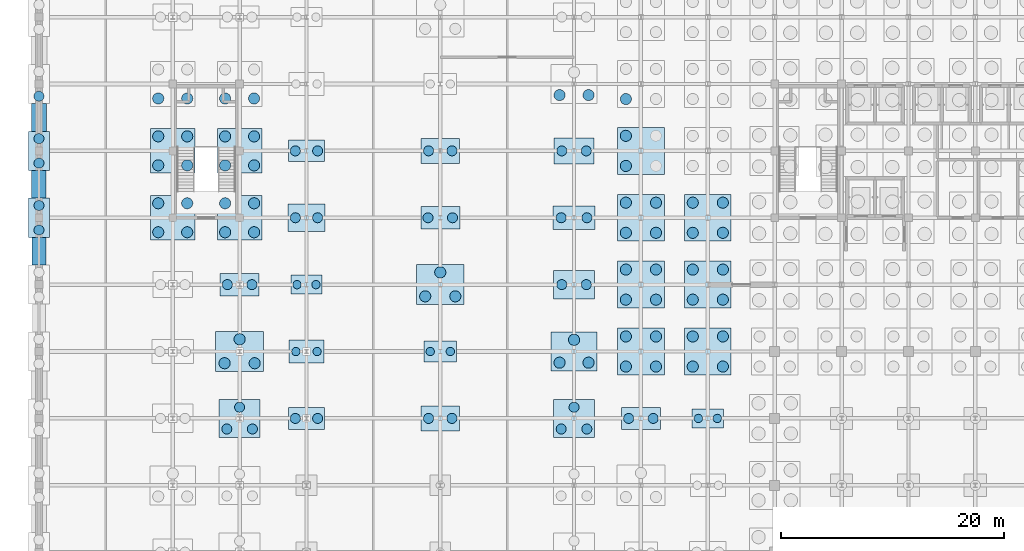
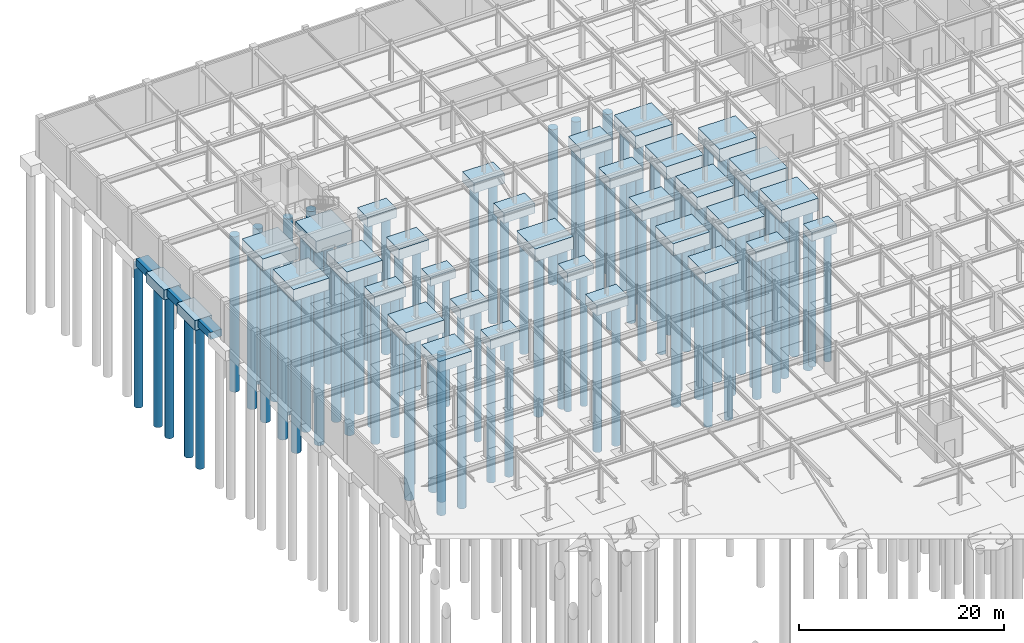
# One storey, part 5 of 69: 99 piles, 36 footings.
"""IFC4 building model written with IfcOpenShell, lengths in metres."""

from ifc_helpers import new_model, si_unit, direction, frame, origin, origin_2d, place, context, subcontext, project, spatial, rectangle, circle, extrude, material, material_profile, profile_set, type_object, element, save


model = new_model("IFC4")

# Units and contexts
model_context = context("Model", 3, precision=1e-05, world=origin(), true_north=direction((0.0, 1.0)))
body_context = subcontext(model_context, "Body", "Model", "MODEL_VIEW")
ifc_project = project(units=[si_unit("LENGTHUNIT", "METRE"), si_unit("AREAUNIT", "SQUARE_METRE"), si_unit("VOLUMEUNIT", "CUBIC_METRE"), si_unit("PLANEANGLEUNIT", "RADIAN"), si_unit("MASSUNIT", "GRAM", prefix="KILO")], contexts=[model_context])

# Site, building, storey
site_placement = place(None, origin())
site = spatial("IfcSite", under=ifc_project, at=site_placement, CompositionType="ELEMENT")
building_placement = place(site_placement, origin())
building = spatial("IfcBuilding", under=site, at=building_placement, Name="Zlatovratsky Civic Hall", CompositionType="ELEMENT")
storey_placement = place(building_placement, frame((0.0, 0.0, -4.800048828125)))
storey = spatial("IfcBuildingStorey", under=building, at=storey_placement, Name="B1", CompositionType="ELEMENT", Elevation=-4.800048828125)

# Footings
ifc_material = material(Name="Concrete C25/30 (B30)", Category="concrete")
footing_type_1 = type_object("IfcFootingType", Name="Footing_Cap2_ArchiveN_3500x2000x1200", PredefinedType="PILE_CAP", material=ifc_material)
for number, where, z_axis, x_axis, name in (
    (1, (54.0, 66.0, -1.19970703125), (0.0, 0.0, 1.0), (1.0, 0.0, 0.0), "FD-214"),
    (2, (18.0, 78.0, -1.19970703125), (0.0, 0.0, 1.0), (1.0, 0.0, 0.0), "FD-256"),
    (3, (36.0, 84.0, -1.19970703125), (0.0, 0.0, 1.0), (1.0, 0.0, 0.0), "FD-281"),
):
    element("IfcFooting", number, at=place(storey_placement, frame(where, z_axis=z_axis, x_axis=x_axis)), inside=storey, type_object=footing_type_1, Name=name, PredefinedType="PILE_CAP", context=body_context, shape_type="SweptSolid", body=[
        extrude(rectangle(XDim=3.5, YDim=2.0, at=origin_2d()), origin(), (0.0, 0.0, 1.0), 1.199951171875),
    ])
footing_type_2 = type_object("IfcFootingType", Name="Footing_Cap2_ArchiveS_3250x1950x1150", PredefinedType="PILE_CAP", material=ifc_material)
for number, where, z_axis, x_axis, name in (
    (4, (24.0, 66.0, -1.14990234375), (0.0, 0.0, 1.0), (1.0, 0.0, 0.0), "FD-211"),
    (5, (24.0, 90.0, -1.14990234375), (0.0, 0.0, 1.0), (1.0, 0.0, 0.0), "FD-303"),
):
    element("IfcFooting", number, at=place(storey_placement, frame(where, z_axis=z_axis, x_axis=x_axis)), inside=storey, type_object=footing_type_2, Name=name, PredefinedType="PILE_CAP", context=body_context, shape_type="SweptSolid", body=[
        extrude(rectangle(XDim=3.25, YDim=1.949951171875, at=origin_2d()), origin(), (0.0, 0.0, 1.0), 1.14990234375),
    ])
footing_type_3 = type_object("IfcFootingType", Name="Footing_Cap2_Boulevard_3550x2350x1300", PredefinedType="PILE_CAP", material=ifc_material)
footing_1_placement = place(storey_placement, frame((48.0, 90.0, -1.2998046875), z_axis=(0.0, 0.0, 1.0), x_axis=(1.0, 0.0, 0.0)))
element("IfcFooting", 6, at=footing_1_placement, inside=storey, type_object=footing_type_3, Name="FD-305", PredefinedType="PILE_CAP", context=body_context, shape_type="SweptSolid", body=[
    extrude(rectangle(XDim=3.550048828125, YDim=2.35009765625, at=origin_2d()), origin(), (0.0, 0.0, 1.0), 1.300048828125),
])
footing_type_4 = type_object("IfcFootingType", Name="Footing_Cap2_CourtN_2950x1850x1100", PredefinedType="PILE_CAP", material=ifc_material)
footing_2_placement = place(storey_placement, frame((36.0, 72.0, -1.10009765625), z_axis=(0.0, 0.0, 1.0), x_axis=(1.0, 0.0, 0.0)))
element("IfcFooting", 7, at=footing_2_placement, inside=storey, type_object=footing_type_4, Name="FD-235", PredefinedType="PILE_CAP", context=body_context, shape_type="SweptSolid", body=[
    extrude(rectangle(XDim=2.949951171875, YDim=1.85009765625, at=origin_2d()), origin(), (0.0, 0.0, 1.0), 1.10009765625),
])
footing_type_5 = type_object("IfcFootingType", Name="Footing_Cap2_CourtS_2800x1700x1050", PredefinedType="PILE_CAP", material=ifc_material)
for number, where, z_axis, x_axis, name in (
    (8, (60.0, 66.0, -1.0498046875), (0.0, 0.0, 1.0), (1.0, 0.0, 0.0), "FD-215"),
    (9, (24.0, 78.0, -1.0498046875), (0.0, 0.0, 1.0), (1.0, 0.0, 0.0), "FD-257"),
):
    element("IfcFooting", number, at=place(storey_placement, frame(where, z_axis=z_axis, x_axis=x_axis)), inside=storey, type_object=footing_type_5, Name=name, PredefinedType="PILE_CAP", context=body_context, shape_type="SweptSolid", body=[
        extrude(rectangle(XDim=2.800048828125, YDim=1.699951171875, at=origin_2d()), origin(), (0.0, 0.0, 1.0), 1.050048828125),
    ])
footing_type_6 = type_object("IfcFootingType", Name="Footing_Cap2_Galleria_3150x2050x1150", PredefinedType="PILE_CAP", material=ifc_material)
footing_3_placement = place(storey_placement, frame((24.0, 72.0, -1.14990234375), z_axis=(0.0, 0.0, 1.0), x_axis=(1.0, 0.0, 0.0)))
element("IfcFooting", 10, at=footing_3_placement, inside=storey, type_object=footing_type_6, Name="FD-234", PredefinedType="PILE_CAP", context=body_context, shape_type="SweptSolid", body=[
    extrude(rectangle(XDim=3.14990234375, YDim=2.050048828125, at=origin_2d()), origin(), (0.0, 0.0, 1.0), 1.14990234375),
])
footing_type_7 = type_object("IfcFootingType", Name="Footing_Cap2_LibraryE_3650x2550x1300", PredefinedType="PILE_CAP", material=ifc_material)
footing_4_placement = place(storey_placement, frame((48.0, 78.0, -1.2998046875), z_axis=(0.0, 0.0, 1.0), x_axis=(1.0, 0.0, 0.0)))
element("IfcFooting", 11, at=footing_4_placement, inside=storey, type_object=footing_type_7, Name="FD-259", PredefinedType="PILE_CAP", context=body_context, shape_type="SweptSolid", body=[
    extrude(rectangle(XDim=3.64990234375, YDim=2.550048828125, at=origin_2d()), origin(), (0.0, 0.0, 1.0), 1.300048828125),
])
footing_type_8 = type_object("IfcFootingType", Name="Footing_Cap2_PlantB1_3350x2450x1250", PredefinedType="PILE_CAP", material=ifc_material)
footing_5_placement = place(storey_placement, frame((24.0, 84.0, -1.25), z_axis=(0.0, 0.0, 1.0), x_axis=(1.0, 0.0, 0.0)))
element("IfcFooting", 12, at=footing_5_placement, inside=storey, type_object=footing_type_8, Name="FD-280", PredefinedType="PILE_CAP", context=body_context, shape_type="SweptSolid", body=[
    extrude(rectangle(XDim=3.35009765625, YDim=2.449951171875, at=origin_2d()), origin(), (0.0, 0.0, 1.0), 1.25),
])
footing_type_9 = type_object("IfcFootingType", Name="Footing_Cap2_ReceptionW_3450x2250x1200", PredefinedType="PILE_CAP", material=ifc_material)
for number, where, z_axis, x_axis, name in (
    (13, (36.0, 66.0, -1.19970703125), (0.0, 0.0, 1.0), (1.0, 0.0, 0.0), "FD-212"),
    (14, (36.0, 90.0, -1.19970703125), (0.0, 0.0, 1.0), (1.0, 0.0, 0.0), "FD-304"),
):
    element("IfcFooting", number, at=place(storey_placement, frame(where, z_axis=z_axis, x_axis=x_axis)), inside=storey, type_object=footing_type_9, Name=name, PredefinedType="PILE_CAP", context=body_context, shape_type="SweptSolid", body=[
        extrude(rectangle(XDim=3.449951171875, YDim=2.25, at=origin_2d()), origin(), (0.0, 0.0, 1.0), 1.199951171875),
    ])
footing_type_10 = type_object("IfcFootingType", Name="Footing_Cap2_ServiceE_3750x2150x1250", PredefinedType="PILE_CAP", material=ifc_material)
footing_6_placement = place(storey_placement, frame((48.0, 84.0, -1.25), z_axis=(0.0, 0.0, 1.0), x_axis=(1.0, 0.0, 0.0)))
element("IfcFooting", 15, at=footing_6_placement, inside=storey, type_object=footing_type_10, Name="FD-282", PredefinedType="PILE_CAP", context=body_context, shape_type="SweptSolid", body=[
    extrude(rectangle(XDim=3.75, YDim=2.14990234375, at=origin_2d()), origin(), (0.0, 0.0, 1.0), 1.25),
])
footing_type_11 = type_object("IfcFootingType", Name="Footing_Cap2_WingEdgeY_1900x3500x1200", PredefinedType="PILE_CAP", material=ifc_material)
for number, where, z_axis, x_axis, name in (
    (16, (0.0, 84.0, -1.19970703125), (0.0, 0.0, 1.0), (1.0, 0.0, 0.0), "FD-277"),
    (17, (0.0, 90.0, -1.19970703125), (0.0, 0.0, 1.0), (1.0, 0.0, 0.0), "FD-300"),
):
    element("IfcFooting", number, at=place(storey_placement, frame(where, z_axis=z_axis, x_axis=x_axis)), inside=storey, type_object=footing_type_11, Name=name, PredefinedType="PILE_CAP", context=body_context, shape_type="SweptSolid", body=[
        extrude(rectangle(XDim=1.89990234375, YDim=3.5, at=origin_2d()), origin(), (0.0, 0.0, 1.0), 1.199951171875),
    ])
footing_type_12 = type_object("IfcFootingType", Name="Footing_Cap3_CourtEdge_3700x3400x1300", PredefinedType="PILE_CAP", material=ifc_material)
for number, where, z_axis, x_axis, name in (
    (18, (18.0, 66.0, -1.2998046875), (0.0, 0.0, 1.0), (1.0, 0.0, 0.0), "FD-210"),
    (19, (48.0, 66.0, -1.2998046875), (0.0, 0.0, 1.0), (1.0, 0.0, 0.0), "FD-213"),
):
    element("IfcFooting", number, at=place(storey_placement, frame(where, z_axis=z_axis, x_axis=x_axis)), inside=storey, type_object=footing_type_12, Name=name, PredefinedType="PILE_CAP", context=body_context, shape_type="SweptSolid", body=[
        extrude(rectangle(XDim=3.699951171875, YDim=3.39990234375, at=origin_2d()), origin(), (0.0, 0.0, 1.0), 1.300048828125),
    ])
footing_type_13 = type_object("IfcFootingType", Name="Footing_Cap3_TowerFlank_4100x3500x1450", PredefinedType="PILE_CAP", material=ifc_material)
footing_7_placement = place(storey_placement, frame((48.0, 72.0, -1.44970703125), z_axis=(0.0, 0.0, 1.0), x_axis=(1.0, 0.0, 0.0)))
element("IfcFooting", 20, at=footing_7_placement, inside=storey, type_object=footing_type_13, Name="FD-236", PredefinedType="PILE_CAP", context=body_context, shape_type="SweptSolid", body=[
    extrude(rectangle(XDim=4.10009765625, YDim=3.5, at=origin_2d()), origin(), (0.0, 0.0, 1.0), 1.449951171875),
])
footing_type_14 = type_object("IfcFootingType", Name="Footing_Cap3_TowerNorth_4300x3600x1500", PredefinedType="PILE_CAP", material=ifc_material)
for number, where, z_axis, x_axis, name in (
    (21, (18.0, 72.0, -1.5), (0.0, 0.0, 1.0), (1.0, 0.0, 0.0), "FD-233"),
    (22, (36.0, 78.0, -1.5), (0.0, 0.0, 1.0), (1.0, 0.0, 0.0), "FD-258"),
):
    element("IfcFooting", number, at=place(storey_placement, frame(where, z_axis=z_axis, x_axis=x_axis)), inside=storey, type_object=footing_type_14, Name=name, PredefinedType="PILE_CAP", context=body_context, shape_type="SweptSolid", body=[
        extrude(rectangle(XDim=4.300048828125, YDim=3.60009765625, at=origin_2d()), origin(), (0.0, 0.0, 1.0), 1.5),
    ])
footing_type_15 = type_object("IfcFootingType", Name="Footing_Cap4_PodiumCore_4000x4000x1400", PredefinedType="PILE_CAP", material=ifc_material)
for number, where, z_axis, x_axis, name in (
    (23, (12.0, 84.0, -1.39990234375), (0.0, 0.0, 1.0), (1.0, 0.0, 0.0), "FD-278"),
    (24, (18.0, 84.0, -1.39990234375), (0.0, 0.0, 1.0), (1.0, 0.0, 0.0), "FD-279"),
    (25, (12.0, 90.0, -1.39990234375), (0.0, 0.0, 1.0), (1.0, 0.0, 0.0), "FD-301"),
    (26, (18.0, 90.0, -1.39990234375), (0.0, 0.0, 1.0), (1.0, 0.0, 0.0), "FD-302"),
):
    element("IfcFooting", number, at=place(storey_placement, frame(where, z_axis=z_axis, x_axis=x_axis)), inside=storey, type_object=footing_type_15, Name=name, PredefinedType="PILE_CAP", context=body_context, shape_type="SweptSolid", body=[
        extrude(rectangle(XDim=4.0, YDim=4.0, at=origin_2d()), origin(), (0.0, 0.0, 1.0), 1.39990234375),
    ])
footing_type_16 = type_object("IfcFootingType", Name="Footing_Cap4_TowerMid_4200x4200x1500", PredefinedType="PILE_CAP", material=ifc_material)
for number, where, z_axis, x_axis, name in (
    (27, (54.0, 72.0, -1.5), (0.0, 0.0, 1.0), (1.0, 0.0, 0.0), "FD-237"),
    (28, (60.0, 72.0, -1.5), (0.0, 0.0, 1.0), (1.0, 0.0, 0.0), "FD-238"),
    (29, (54.0, 78.0, -1.5), (0.0, 0.0, 1.0), (1.0, 0.0, 0.0), "FD-260"),
    (30, (60.0, 78.0, -1.5), (0.0, 0.0, 1.0), (1.0, 0.0, 0.0), "FD-261"),
    (31, (54.0, 84.0, -1.5), (0.0, 0.0, 1.0), (1.0, 0.0, 0.0), "FD-283"),
    (32, (60.0, 84.0, -1.5), (0.0, 0.0, 1.0), (1.0, 0.0, 0.0), "FD-284"),
    (33, (54.0, 90.0, -1.5), (0.0, 0.0, 1.0), (1.0, 0.0, 0.0), "FD-306"),
):
    element("IfcFooting", number, at=place(storey_placement, frame(where, z_axis=z_axis, x_axis=x_axis)), inside=storey, type_object=footing_type_16, Name=name, PredefinedType="PILE_CAP", context=body_context, shape_type="SweptSolid", body=[
        extrude(rectangle(XDim=4.199951171875, YDim=4.199951171875, at=origin_2d()), origin(), (0.0, 0.0, 1.0), 1.5),
    ])
footing_type_17 = type_object("IfcFootingType", Name="Footing_Strip_B1_02", PredefinedType="STRIP_FOOTING", material=ifc_material)
footing_8_placement = place(storey_placement, frame((0.0, 81.0, -0.85009765625), z_axis=(0.0, 0.0, 1.0), x_axis=(1.0, 0.0, 0.0)))
element("IfcFooting", 34, at=footing_8_placement, inside=storey, type_object=footing_type_17, Name="FD-470", PredefinedType="STRIP_FOOTING", context=body_context, shape_type="SweptSolid", body=[
    extrude(rectangle(XDim=1.25, YDim=2.5, at=origin_2d()), origin(), (0.0, 0.0, 1.0), 0.85009765625),
])
footing_type_18 = type_object("IfcFootingType", Name="Footing_Strip_B1_03", PredefinedType="STRIP_FOOTING", material=ifc_material)
footing_9_placement = place(storey_placement, frame((0.0, 87.0, -0.89990234375), z_axis=(0.0, 0.0, 1.0), x_axis=(1.0, 0.0, 0.0)))
element("IfcFooting", 35, at=footing_9_placement, inside=storey, type_object=footing_type_18, Name="FD-471", PredefinedType="STRIP_FOOTING", context=body_context, shape_type="SweptSolid", body=[
    extrude(rectangle(XDim=1.300048828125, YDim=2.5, at=origin_2d()), origin(), (0.0, 0.0, 1.0), 0.89990234375),
])
footing_type_19 = type_object("IfcFootingType", Name="Footing_Strip_B1_04", PredefinedType="STRIP_FOOTING", material=ifc_material)
footing_10_placement = place(storey_placement, frame((0.0, 93.0, -0.89990234375), z_axis=(0.0, 0.0, 1.0), x_axis=(1.0, 0.0, 0.0)))
element("IfcFooting", 36, at=footing_10_placement, inside=storey, type_object=footing_type_19, Name="FD-472", PredefinedType="STRIP_FOOTING", context=body_context, shape_type="SweptSolid", body=[
    extrude(rectangle(XDim=1.35009765625, YDim=2.5, at=origin_2d()), origin(), (0.0, 0.0, 1.0), 0.89990234375),
])

# Piles
ifc_material_profile_1 = material_profile(ifc_material, circle(Radius=0.5, at=origin_2d()), Name="PILE D1000")
ifc_profile_set_1 = profile_set([ifc_material_profile_1], Name="Concrete C25/30 (B30)")
pile_type_1 = type_object("IfcPileType", Name="Pile_Bored_D1000", PredefinedType="BORED", material=ifc_profile_set_1)
for number, where, z_axis, x_axis, name in (
    (37, (16.64990234375, 70.949951171875, -1.39990234375), (0.0, 0.0, -1.0), (1.0, 0.0, 0.0), "PL-0570"),
    (38, (19.35009765625, 70.949951171875, -1.39990234375), (0.0, 0.0, -1.0), (1.0, 0.0, 0.0), "PL-0571"),
    (39, (18.0, 73.10009765625, -1.39990234375), (0.0, 0.0, -1.0), (1.0, 0.0, 0.0), "PL-0572"),
):
    element("IfcPile", number, at=place(storey_placement, frame(where, z_axis=z_axis, x_axis=x_axis)), inside=storey, type_object=pile_type_1, Name=name, PredefinedType="BORED", context=body_context, shape_type="SweptSolid", body=[
        extrude(circle(Radius=0.5, at=origin_2d()), origin(), (0.0, 0.0, 1.0), 19.0),
    ])
for number, where, z_axis, x_axis, name in (
    (40, (46.699951171875, 71.0, -1.349853515625), (0.0, 0.0, -1.0), (1.0, 0.0, 0.0), "PL-0577"),
    (41, (49.300048828125, 71.0, -1.349853515625), (0.0, 0.0, -1.0), (1.0, 0.0, 0.0), "PL-0578"),
    (42, (48.0, 73.050048828125, -1.349853515625), (0.0, 0.0, -1.0), (1.0, 0.0, 0.0), "PL-0579"),
):
    element("IfcPile", number, at=place(storey_placement, frame(where, z_axis=z_axis, x_axis=x_axis)), inside=storey, type_object=pile_type_1, Name=name, PredefinedType="BORED", context=body_context, shape_type="SweptSolid", body=[
        extrude(circle(Radius=0.5, at=origin_2d()), origin(), (0.0, 0.0, 1.0), 18.5),
    ])
for number, where, z_axis, x_axis, name in (
    (43, (52.64990234375, 70.64990234375, -1.39990234375), (0.0, 0.0, -1.0), (1.0, 0.0, 0.0), "PL-0580"),
    (44, (55.35009765625, 70.64990234375, -1.39990234375), (0.0, 0.0, -1.0), (1.0, 0.0, 0.0), "PL-0581"),
    (45, (52.64990234375, 73.35009765625, -1.39990234375), (0.0, 0.0, -1.0), (1.0, 0.0, 0.0), "PL-0582"),
    (46, (55.35009765625, 73.35009765625, -1.39990234375), (0.0, 0.0, -1.0), (1.0, 0.0, 0.0), "PL-0583"),
    (47, (58.64990234375, 70.64990234375, -1.39990234375), (0.0, 0.0, -1.0), (1.0, 0.0, 0.0), "PL-0584"),
    (48, (61.35009765625, 70.64990234375, -1.39990234375), (0.0, 0.0, -1.0), (1.0, 0.0, 0.0), "PL-0585"),
    (49, (58.64990234375, 73.35009765625, -1.39990234375), (0.0, 0.0, -1.0), (1.0, 0.0, 0.0), "PL-0586"),
    (50, (61.35009765625, 73.35009765625, -1.39990234375), (0.0, 0.0, -1.0), (1.0, 0.0, 0.0), "PL-0587"),
    (51, (34.64990234375, 76.949951171875, -1.39990234375), (0.0, 0.0, -1.0), (1.0, 0.0, 0.0), "PL-0645"),
    (52, (37.35009765625, 76.949951171875, -1.39990234375), (0.0, 0.0, -1.0), (1.0, 0.0, 0.0), "PL-0646"),
    (53, (36.0, 79.10009765625, -1.39990234375), (0.0, 0.0, -1.0), (1.0, 0.0, 0.0), "PL-0647"),
    (54, (52.64990234375, 76.64990234375, -1.39990234375), (0.0, 0.0, -1.0), (1.0, 0.0, 0.0), "PL-0650"),
    (55, (55.35009765625, 76.64990234375, -1.39990234375), (0.0, 0.0, -1.0), (1.0, 0.0, 0.0), "PL-0651"),
    (56, (52.64990234375, 79.35009765625, -1.39990234375), (0.0, 0.0, -1.0), (1.0, 0.0, 0.0), "PL-0652"),
    (57, (55.35009765625, 79.35009765625, -1.39990234375), (0.0, 0.0, -1.0), (1.0, 0.0, 0.0), "PL-0653"),
    (58, (58.64990234375, 76.64990234375, -1.39990234375), (0.0, 0.0, -1.0), (1.0, 0.0, 0.0), "PL-0654"),
    (59, (61.35009765625, 76.64990234375, -1.39990234375), (0.0, 0.0, -1.0), (1.0, 0.0, 0.0), "PL-0655"),
    (60, (58.64990234375, 79.35009765625, -1.39990234375), (0.0, 0.0, -1.0), (1.0, 0.0, 0.0), "PL-0656"),
    (61, (61.35009765625, 79.35009765625, -1.39990234375), (0.0, 0.0, -1.0), (1.0, 0.0, 0.0), "PL-0657"),
):
    element("IfcPile", number, at=place(storey_placement, frame(where, z_axis=z_axis, x_axis=x_axis)), inside=storey, type_object=pile_type_1, Name=name, PredefinedType="BORED", context=body_context, shape_type="SweptSolid", body=[
        extrude(circle(Radius=0.5, at=origin_2d()), origin(), (0.0, 0.0, 1.0), 19.0),
    ])
for number, where, z_axis, x_axis, name in (
    (62, (10.699951171875, 82.699951171875, -1.300048828125), (0.0, 0.0, -1.0), (1.0, 0.0, 0.0), "PL-0708"),
    (63, (13.300048828125, 82.699951171875, -1.300048828125), (0.0, 0.0, -1.0), (1.0, 0.0, 0.0), "PL-0709"),
    (64, (10.699951171875, 85.300048828125, -1.300048828125), (0.0, 0.0, -1.0), (1.0, 0.0, 0.0), "PL-0710"),
    (65, (13.300048828125, 85.300048828125, -1.300048828125), (0.0, 0.0, -1.0), (1.0, 0.0, 0.0), "PL-0711"),
    (66, (16.699951171875, 82.699951171875, -1.300048828125), (0.0, 0.0, -1.0), (1.0, 0.0, 0.0), "PL-0712"),
    (67, (19.300048828125, 82.699951171875, -1.300048828125), (0.0, 0.0, -1.0), (1.0, 0.0, 0.0), "PL-0713"),
    (68, (16.699951171875, 85.300048828125, -1.300048828125), (0.0, 0.0, -1.0), (1.0, 0.0, 0.0), "PL-0714"),
    (69, (19.300048828125, 85.300048828125, -1.300048828125), (0.0, 0.0, -1.0), (1.0, 0.0, 0.0), "PL-0715"),
):
    element("IfcPile", number, at=place(storey_placement, frame(where, z_axis=z_axis, x_axis=x_axis)), inside=storey, type_object=pile_type_1, Name=name, PredefinedType="BORED", context=body_context, shape_type="SweptSolid", body=[
        extrude(circle(Radius=0.5, at=origin_2d()), origin(), (0.0, 0.0, 1.0), 18.5),
    ])
for number, where, z_axis, x_axis, name in (
    (70, (52.64990234375, 82.64990234375, -1.39990234375), (0.0, 0.0, -1.0), (1.0, 0.0, 0.0), "PL-0722"),
    (71, (55.35009765625, 82.64990234375, -1.39990234375), (0.0, 0.0, -1.0), (1.0, 0.0, 0.0), "PL-0723"),
    (72, (52.64990234375, 85.35009765625, -1.39990234375), (0.0, 0.0, -1.0), (1.0, 0.0, 0.0), "PL-0724"),
    (73, (55.35009765625, 85.35009765625, -1.39990234375), (0.0, 0.0, -1.0), (1.0, 0.0, 0.0), "PL-0725"),
    (74, (58.64990234375, 82.64990234375, -1.39990234375), (0.0, 0.0, -1.0), (1.0, 0.0, 0.0), "PL-0726"),
    (75, (61.35009765625, 82.64990234375, -1.39990234375), (0.0, 0.0, -1.0), (1.0, 0.0, 0.0), "PL-0727"),
    (76, (58.64990234375, 85.35009765625, -1.39990234375), (0.0, 0.0, -1.0), (1.0, 0.0, 0.0), "PL-0728"),
    (77, (61.35009765625, 85.35009765625, -1.39990234375), (0.0, 0.0, -1.0), (1.0, 0.0, 0.0), "PL-0729"),
):
    element("IfcPile", number, at=place(storey_placement, frame(where, z_axis=z_axis, x_axis=x_axis)), inside=storey, type_object=pile_type_1, Name=name, PredefinedType="BORED", context=body_context, shape_type="SweptSolid", body=[
        extrude(circle(Radius=0.5, at=origin_2d()), origin(), (0.0, 0.0, 1.0), 19.0),
    ])
for number, where, z_axis, x_axis, name in (
    (78, (10.699951171875, 88.699951171875, -1.300048828125), (0.0, 0.0, -1.0), (1.0, 0.0, 0.0), "PL-0784"),
    (79, (13.300048828125, 88.699951171875, -1.300048828125), (0.0, 0.0, -1.0), (1.0, 0.0, 0.0), "PL-0785"),
    (80, (10.699951171875, 91.300048828125, -1.300048828125), (0.0, 0.0, -1.0), (1.0, 0.0, 0.0), "PL-0786"),
    (81, (13.300048828125, 91.300048828125, -1.300048828125), (0.0, 0.0, -1.0), (1.0, 0.0, 0.0), "PL-0787"),
    (82, (16.699951171875, 88.699951171875, -1.300048828125), (0.0, 0.0, -1.0), (1.0, 0.0, 0.0), "PL-0788"),
    (83, (19.300048828125, 88.699951171875, -1.300048828125), (0.0, 0.0, -1.0), (1.0, 0.0, 0.0), "PL-0789"),
    (84, (16.699951171875, 91.300048828125, -1.300048828125), (0.0, 0.0, -1.0), (1.0, 0.0, 0.0), "PL-0790"),
    (85, (19.300048828125, 91.300048828125, -1.300048828125), (0.0, 0.0, -1.0), (1.0, 0.0, 0.0), "PL-0791"),
):
    element("IfcPile", number, at=place(storey_placement, frame(where, z_axis=z_axis, x_axis=x_axis)), inside=storey, type_object=pile_type_1, Name=name, PredefinedType="BORED", context=body_context, shape_type="SweptSolid", body=[
        extrude(circle(Radius=0.5, at=origin_2d()), origin(), (0.0, 0.0, 1.0), 18.5),
    ])
for number, where, z_axis, x_axis, name in (
    (86, (52.64990234375, 88.64990234375, -1.39990234375), (0.0, 0.0, -1.0), (1.0, 0.0, 0.0), "PL-0798"),
    (87, (52.64990234375, 91.35009765625, -1.39990234375), (0.0, 0.0, -1.0), (1.0, 0.0, 0.0), "PL-0800"),
):
    element("IfcPile", number, at=place(storey_placement, frame(where, z_axis=z_axis, x_axis=x_axis)), inside=storey, type_object=pile_type_1, Name=name, PredefinedType="BORED", context=body_context, shape_type="SweptSolid", body=[
        extrude(circle(Radius=0.5, at=origin_2d()), origin(), (0.0, 0.0, 1.0), 19.0),
    ])
for number, where, z_axis, x_axis, name in (
    (88, (10.699951171875, 94.699951171875, -1.300048828125), (0.0, 0.0, -1.0), (1.0, 0.0, 0.0), "PL-0861"),
    (89, (13.300048828125, 94.699951171875, -1.300048828125), (0.0, 0.0, -1.0), (1.0, 0.0, 0.0), "PL-0862"),
    (90, (16.699951171875, 94.699951171875, -1.300048828125), (0.0, 0.0, -1.0), (1.0, 0.0, 0.0), "PL-0865"),
    (91, (19.300048828125, 94.699951171875, -1.300048828125), (0.0, 0.0, -1.0), (1.0, 0.0, 0.0), "PL-0866"),
    (92, (46.699951171875, 95.0, -1.349853515625), (0.0, 0.0, -1.0), (1.0, 0.0, 0.0), "PL-0873"),
    (93, (49.300048828125, 95.0, -1.349853515625), (0.0, 0.0, -1.0), (1.0, 0.0, 0.0), "PL-0874"),
):
    element("IfcPile", number, at=place(storey_placement, frame(where, z_axis=z_axis, x_axis=x_axis)), inside=storey, type_object=pile_type_1, Name=name, PredefinedType="BORED", context=body_context, shape_type="SweptSolid", body=[
        extrude(circle(Radius=0.5, at=origin_2d()), origin(), (0.0, 0.0, 1.0), 18.5),
    ])
pile_1_placement = place(storey_placement, frame((52.64990234375, 94.64990234375, -1.39990234375), z_axis=(0.0, 0.0, -1.0), x_axis=(1.0, 0.0, 0.0)))
element("IfcPile", 94, at=pile_1_placement, inside=storey, type_object=pile_type_1, Name="PL-0876", PredefinedType="BORED", context=body_context, shape_type="SweptSolid", body=[
    extrude(circle(Radius=0.5, at=origin_2d()), origin(), (0.0, 0.0, 1.0), 19.0),
])
ifc_material_profile_2 = material_profile(ifc_material, circle(Radius=0.375, at=origin_2d()), Name="PILE D750")
ifc_profile_set_2 = profile_set([ifc_material_profile_2], Name="Concrete C25/30 (B30)")
pile_type_2 = type_object("IfcPileType", Name="Pile_Bored_D750", PredefinedType="BORED", material=ifc_profile_set_2)
for number, where, z_axis, x_axis, name in (
    (95, (59.14990234375, 66.0, -0.949951171875), (0.0, 0.0, -1.0), (1.0, 0.0, 0.0), "PL-0532"),
    (96, (60.85009765625, 66.0, -0.949951171875), (0.0, 0.0, -1.0), (1.0, 0.0, 0.0), "PL-0533"),
):
    element("IfcPile", number, at=place(storey_placement, frame(where, z_axis=z_axis, x_axis=x_axis)), inside=storey, type_object=pile_type_2, Name=name, PredefinedType="BORED", context=body_context, shape_type="SweptSolid", body=[
        extrude(circle(Radius=0.375, at=origin_2d()), origin(), (0.0, 0.0, 1.0), 15.5),
    ])
for number, where, z_axis, x_axis, name in (
    (97, (23.050048828125, 72.0, -1.050048828125), (0.0, 0.0, -1.0), (1.0, 0.0, 0.0), "PL-0573"),
    (98, (24.949951171875, 72.0, -1.050048828125), (0.0, 0.0, -1.0), (1.0, 0.0, 0.0), "PL-0574"),
    (99, (35.10009765625, 72.0, -1.0), (0.0, 0.0, -1.0), (1.0, 0.0, 0.0), "PL-0575"),
    (100, (36.89990234375, 72.0, -1.0), (0.0, 0.0, -1.0), (1.0, 0.0, 0.0), "PL-0576"),
):
    element("IfcPile", number, at=place(storey_placement, frame(where, z_axis=z_axis, x_axis=x_axis)), inside=storey, type_object=pile_type_2, Name=name, PredefinedType="BORED", context=body_context, shape_type="SweptSolid", body=[
        extrude(circle(Radius=0.375, at=origin_2d()), origin(), (0.0, 0.0, 1.0), 16.0),
    ])
for number, where, z_axis, x_axis, name in (
    (101, (23.14990234375, 78.0, -0.949951171875), (0.0, 0.0, -1.0), (1.0, 0.0, 0.0), "PL-0643"),
    (102, (24.85009765625, 78.0, -0.949951171875), (0.0, 0.0, -1.0), (1.0, 0.0, 0.0), "PL-0644"),
):
    element("IfcPile", number, at=place(storey_placement, frame(where, z_axis=z_axis, x_axis=x_axis)), inside=storey, type_object=pile_type_2, Name=name, PredefinedType="BORED", context=body_context, shape_type="SweptSolid", body=[
        extrude(circle(Radius=0.375, at=origin_2d()), origin(), (0.0, 0.0, 1.0), 15.5),
    ])
ifc_material_profile_3 = material_profile(ifc_material, circle(Radius=0.449951171875, at=origin_2d()), Name="PILE D900")
ifc_profile_set_3 = profile_set([ifc_material_profile_3], Name="Concrete C25/30 (B30)")
pile_type_3 = type_object("IfcPileType", Name="Pile_Bored_D900", PredefinedType="BORED", material=ifc_profile_set_3)
for number, where, z_axis, x_axis, name in (
    (103, (16.85009765625, 65.050048828125, -1.199951171875), (0.0, 0.0, -1.0), (1.0, 0.0, 0.0), "PL-0520"),
    (104, (19.14990234375, 65.050048828125, -1.199951171875), (0.0, 0.0, -1.0), (1.0, 0.0, 0.0), "PL-0521"),
    (105, (18.0, 67.0, -1.199951171875), (0.0, 0.0, -1.0), (1.0, 0.0, 0.0), "PL-0522"),
):
    element("IfcPile", number, at=place(storey_placement, frame(where, z_axis=z_axis, x_axis=x_axis)), inside=storey, type_object=pile_type_3, Name=name, PredefinedType="BORED", context=body_context, shape_type="SweptSolid", body=[
        extrude(circle(Radius=0.449951171875, at=origin_2d()), origin(), (0.0, 0.0, 1.0), 17.5),
    ])
for number, where, z_axis, x_axis, name in (
    (106, (23.0, 66.0, -1.050048828125), (0.0, 0.0, -1.0), (1.0, 0.0, 0.0), "PL-0523"),
    (107, (25.0, 66.0, -1.050048828125), (0.0, 0.0, -1.0), (1.0, 0.0, 0.0), "PL-0524"),
):
    element("IfcPile", number, at=place(storey_placement, frame(where, z_axis=z_axis, x_axis=x_axis)), inside=storey, type_object=pile_type_3, Name=name, PredefinedType="BORED", context=body_context, shape_type="SweptSolid", body=[
        extrude(circle(Radius=0.449951171875, at=origin_2d()), origin(), (0.0, 0.0, 1.0), 16.5),
    ])
for number, where, z_axis, x_axis, name in (
    (108, (34.949951171875, 66.0, -1.099853515625), (0.0, 0.0, -1.0), (1.0, 0.0, 0.0), "PL-0525"),
    (109, (37.050048828125, 66.0, -1.099853515625), (0.0, 0.0, -1.0), (1.0, 0.0, 0.0), "PL-0526"),
):
    element("IfcPile", number, at=place(storey_placement, frame(where, z_axis=z_axis, x_axis=x_axis)), inside=storey, type_object=pile_type_3, Name=name, PredefinedType="BORED", context=body_context, shape_type="SweptSolid", body=[
        extrude(circle(Radius=0.449951171875, at=origin_2d()), origin(), (0.0, 0.0, 1.0), 17.0),
    ])
for number, where, z_axis, x_axis, name in (
    (110, (46.85009765625, 65.050048828125, -1.199951171875), (0.0, 0.0, -1.0), (1.0, 0.0, 0.0), "PL-0527"),
    (111, (49.14990234375, 65.050048828125, -1.199951171875), (0.0, 0.0, -1.0), (1.0, 0.0, 0.0), "PL-0528"),
    (112, (48.0, 67.0, -1.199951171875), (0.0, 0.0, -1.0), (1.0, 0.0, 0.0), "PL-0529"),
):
    element("IfcPile", number, at=place(storey_placement, frame(where, z_axis=z_axis, x_axis=x_axis)), inside=storey, type_object=pile_type_3, Name=name, PredefinedType="BORED", context=body_context, shape_type="SweptSolid", body=[
        extrude(circle(Radius=0.449951171875, at=origin_2d()), origin(), (0.0, 0.0, 1.0), 17.5),
    ])
for number, where, z_axis, x_axis, name in (
    (113, (52.89990234375, 66.0, -1.099853515625), (0.0, 0.0, -1.0), (1.0, 0.0, 0.0), "PL-0530"),
    (114, (55.10009765625, 66.0, -1.099853515625), (0.0, 0.0, -1.0), (1.0, 0.0, 0.0), "PL-0531"),
    (115, (16.89990234375, 78.0, -1.099853515625), (0.0, 0.0, -1.0), (1.0, 0.0, 0.0), "PL-0641"),
    (116, (19.10009765625, 78.0, -1.099853515625), (0.0, 0.0, -1.0), (1.0, 0.0, 0.0), "PL-0642"),
):
    element("IfcPile", number, at=place(storey_placement, frame(where, z_axis=z_axis, x_axis=x_axis)), inside=storey, type_object=pile_type_3, Name=name, PredefinedType="BORED", context=body_context, shape_type="SweptSolid", body=[
        extrude(circle(Radius=0.449951171875, at=origin_2d()), origin(), (0.0, 0.0, 1.0), 17.0),
    ])
for number, where, z_axis, x_axis, name in (
    (117, (46.89990234375, 78.0, -1.199951171875), (0.0, 0.0, -1.0), (1.0, 0.0, 0.0), "PL-0648"),
    (118, (49.10009765625, 78.0, -1.199951171875), (0.0, 0.0, -1.0), (1.0, 0.0, 0.0), "PL-0649"),
):
    element("IfcPile", number, at=place(storey_placement, frame(where, z_axis=z_axis, x_axis=x_axis)), inside=storey, type_object=pile_type_3, Name=name, PredefinedType="BORED", context=body_context, shape_type="SweptSolid", body=[
        extrude(circle(Radius=0.449951171875, at=origin_2d()), origin(), (0.0, 0.0, 1.0), 17.5),
    ])
for number, where, z_axis, x_axis, name in (
    (119, (0.0, 82.89990234375, -1.099853515625), (0.0, 0.0, -1.0), (1.0, 0.0, 0.0), "PL-0706"),
    (120, (0.0, 85.10009765625, -1.099853515625), (0.0, 0.0, -1.0), (1.0, 0.0, 0.0), "PL-0707"),
    (121, (23.0, 84.0, -1.14990234375), (0.0, 0.0, -1.0), (1.0, 0.0, 0.0), "PL-0716"),
    (122, (25.0, 84.0, -1.14990234375), (0.0, 0.0, -1.0), (1.0, 0.0, 0.0), "PL-0717"),
    (123, (34.89990234375, 84.0, -1.099853515625), (0.0, 0.0, -1.0), (1.0, 0.0, 0.0), "PL-0718"),
    (124, (37.10009765625, 84.0, -1.099853515625), (0.0, 0.0, -1.0), (1.0, 0.0, 0.0), "PL-0719"),
):
    element("IfcPile", number, at=place(storey_placement, frame(where, z_axis=z_axis, x_axis=x_axis)), inside=storey, type_object=pile_type_3, Name=name, PredefinedType="BORED", context=body_context, shape_type="SweptSolid", body=[
        extrude(circle(Radius=0.449951171875, at=origin_2d()), origin(), (0.0, 0.0, 1.0), 17.0),
    ])
for number, where, z_axis, x_axis, name in (
    (125, (46.85009765625, 84.0, -1.14990234375), (0.0, 0.0, -1.0), (1.0, 0.0, 0.0), "PL-0720"),
    (126, (49.14990234375, 84.0, -1.14990234375), (0.0, 0.0, -1.0), (1.0, 0.0, 0.0), "PL-0721"),
):
    element("IfcPile", number, at=place(storey_placement, frame(where, z_axis=z_axis, x_axis=x_axis)), inside=storey, type_object=pile_type_3, Name=name, PredefinedType="BORED", context=body_context, shape_type="SweptSolid", body=[
        extrude(circle(Radius=0.449951171875, at=origin_2d()), origin(), (0.0, 0.0, 1.0), 17.5),
    ])
for number, where, z_axis, x_axis, name in (
    (127, (0.0, 88.89990234375, -1.099853515625), (0.0, 0.0, -1.0), (1.0, 0.0, 0.0), "PL-0782"),
    (128, (0.0, 91.10009765625, -1.099853515625), (0.0, 0.0, -1.0), (1.0, 0.0, 0.0), "PL-0783"),
):
    element("IfcPile", number, at=place(storey_placement, frame(where, z_axis=z_axis, x_axis=x_axis)), inside=storey, type_object=pile_type_3, Name=name, PredefinedType="BORED", context=body_context, shape_type="SweptSolid", body=[
        extrude(circle(Radius=0.449951171875, at=origin_2d()), origin(), (0.0, 0.0, 1.0), 17.0),
    ])
for number, where, z_axis, x_axis, name in (
    (129, (23.0, 90.0, -1.050048828125), (0.0, 0.0, -1.0), (1.0, 0.0, 0.0), "PL-0792"),
    (130, (25.0, 90.0, -1.050048828125), (0.0, 0.0, -1.0), (1.0, 0.0, 0.0), "PL-0793"),
):
    element("IfcPile", number, at=place(storey_placement, frame(where, z_axis=z_axis, x_axis=x_axis)), inside=storey, type_object=pile_type_3, Name=name, PredefinedType="BORED", context=body_context, shape_type="SweptSolid", body=[
        extrude(circle(Radius=0.449951171875, at=origin_2d()), origin(), (0.0, 0.0, 1.0), 16.5),
    ])
for number, where, z_axis, x_axis, name in (
    (131, (34.949951171875, 90.0, -1.099853515625), (0.0, 0.0, -1.0), (1.0, 0.0, 0.0), "PL-0794"),
    (132, (37.050048828125, 90.0, -1.099853515625), (0.0, 0.0, -1.0), (1.0, 0.0, 0.0), "PL-0795"),
):
    element("IfcPile", number, at=place(storey_placement, frame(where, z_axis=z_axis, x_axis=x_axis)), inside=storey, type_object=pile_type_3, Name=name, PredefinedType="BORED", context=body_context, shape_type="SweptSolid", body=[
        extrude(circle(Radius=0.449951171875, at=origin_2d()), origin(), (0.0, 0.0, 1.0), 17.0),
    ])
for number, where, z_axis, x_axis, name in (
    (133, (46.89990234375, 90.0, -1.199951171875), (0.0, 0.0, -1.0), (1.0, 0.0, 0.0), "PL-0796"),
    (134, (49.10009765625, 90.0, -1.199951171875), (0.0, 0.0, -1.0), (1.0, 0.0, 0.0), "PL-0797"),
):
    element("IfcPile", number, at=place(storey_placement, frame(where, z_axis=z_axis, x_axis=x_axis)), inside=storey, type_object=pile_type_3, Name=name, PredefinedType="BORED", context=body_context, shape_type="SweptSolid", body=[
        extrude(circle(Radius=0.449951171875, at=origin_2d()), origin(), (0.0, 0.0, 1.0), 17.5),
    ])
pile_2_placement = place(storey_placement, frame((0.0, 94.89990234375, -1.099853515625), z_axis=(0.0, 0.0, -1.0), x_axis=(1.0, 0.0, 0.0)))
element("IfcPile", 135, at=pile_2_placement, inside=storey, type_object=pile_type_3, Name="PL-0859", PredefinedType="BORED", context=body_context, shape_type="SweptSolid", body=[
    extrude(circle(Radius=0.449951171875, at=origin_2d()), origin(), (0.0, 0.0, 1.0), 17.0),
])

save(model, "model.ifc")
